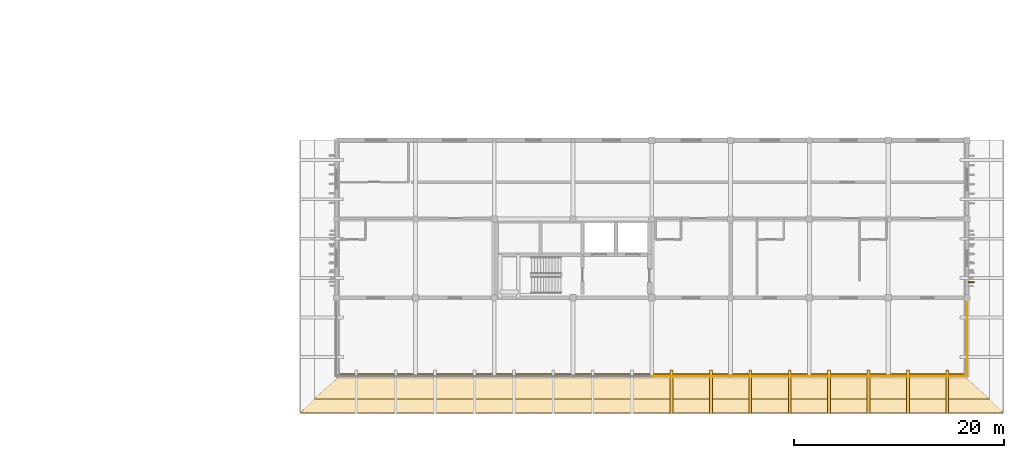
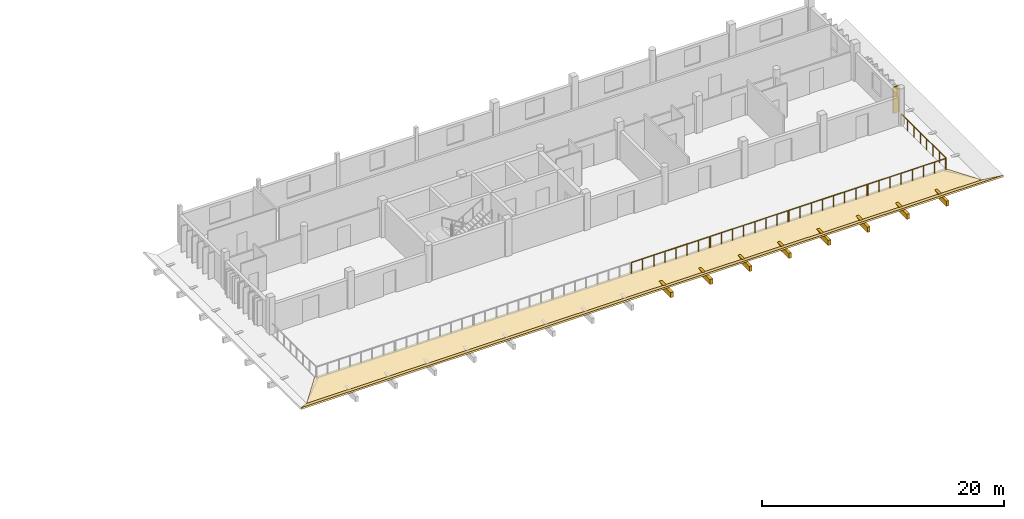
# One storey, part 41 of 43: 11 coverings, 5 railings.
"""IFC4 building model written with IfcOpenShell, lengths in metres."""

from ifc_helpers import new_model, si_unit, direction, frame, origin, origin_2d, place, context, subcontext, project, spatial, polyline, rectangle, circle, outline, extrude, material, layer, layer_set, type_object, element, save


model = new_model("IFC4")

# Units and contexts
model_context = context("Model", 3, precision=1e-05, world=origin(), true_north=direction((0.0, 1.0)))
body_context = subcontext(model_context, "Body", "Model", "MODEL_VIEW")
ifc_project = project(units=[si_unit("LENGTHUNIT", "METRE"), si_unit("AREAUNIT", "SQUARE_METRE"), si_unit("VOLUMEUNIT", "CUBIC_METRE"), si_unit("PLANEANGLEUNIT", "RADIAN"), si_unit("MASSUNIT", "GRAM", prefix="KILO")], contexts=[model_context])

# Site, building, storey
site_placement = place(None, origin())
site = spatial("IfcSite", under=ifc_project, at=site_placement, CompositionType="ELEMENT")
building_placement = place(site_placement, origin())
building = spatial("IfcBuilding", under=site, at=building_placement, Name="Dalvernix Boulevard General Hospital", CompositionType="ELEMENT")
storey_placement = place(building_placement, frame((0.0, 0.0, 14.10009765625)))
storey = spatial("IfcBuildingStorey", under=building, at=storey_placement, Name="L03", CompositionType="ELEMENT", Elevation=14.10009765625)

# Coverings
ifc_material_1 = material(Name="Glazed Catalan terracotta and iroko timber overhanging upturned eave", Category="masonry")
ifc_layer_1 = layer(ifc_material_1, 0.139892578125)
ifc_layer_set_1 = layer_set([ifc_layer_1], Name="Glazed Catalan terracotta and iroko timber overhanging upturned eave (COV-EAVE-01)")
covering_type_1 = type_object("IfcCoveringType", Name="COV-EAVE-01", PredefinedType="CLADDING", material=ifc_layer_set_1)
covering_1_placement = place(storey_placement, frame((112.5, 0.25, -0.06005859375), z_axis=(0.0, -0.192259352231, 0.981344150377), x_axis=(1.0, 0.0, 0.0)))
element("IfcCovering", 1, at=covering_1_placement, inside=storey, type_object=covering_type_1, Name="TIER-V5-BASE overhanging ceramic eave skirt S", PredefinedType="CLADDING", context=body_context, shape_type="SweptSolid", body=[
    extrude(outline(polyline([(0.0, 0.0), (60.0, 0.0), (62.199951171875, -2.4965259852349133), (-2.199951171875, -2.4965259852349133), (0.0, 0.0)])), origin(), (0.0, 0.0, -1.0), 0.139892578125),
])
covering_2_placement = place(storey_placement, frame((110.300048828125, -2.1201171875, -0.5400390625), z_axis=(0.0, 0.524777364287, 0.851239518544), x_axis=(1.0, 0.0, 0.0)))
element("IfcCovering", 2, at=covering_2_placement, inside=storey, type_object=covering_type_1, Name="TIER-V5-BASE upturned ceramic eave wing S", PredefinedType="CLADDING", context=body_context, shape_type="SweptSolid", body=[
    extrude(outline(polyline([(0.0, 0.0), (64.39990234375, 0.0), (65.64990234375, -1.5622324332978543), (-1.25, -1.5622324332978543), (0.0, 0.0)])), origin(), (0.0, 0.0, -1.0), 0.139892578125),
])
ifc_material_2 = material(Name="Terracotta-clad iroko timber brise-soleil sun-breaker fin", Category="masonry")
ifc_layer_2 = layer(ifc_material_2, 0.10009765625)
ifc_layer_set_2 = layer_set([ifc_layer_2], Name="Terracotta-clad iroko timber brise-soleil sun-breaker fin (COV-FIN-02)")
covering_type_2 = type_object("IfcCoveringType", Name="COV-FIN-02", PredefinedType="CLADDING", material=ifc_layer_set_2)
covering_3_placement = place(storey_placement, frame((172.919921875, 9.0, 0.119873046875), z_axis=(0.0, 0.0, 1.0), x_axis=(0.0, -1.0, 0.0)))
element("IfcCovering", 3, at=covering_3_placement, inside=storey, type_object=covering_type_2, Name="L03 terracotta brise-soleil fin E 23-1-6", PredefinedType="CLADDING", context=body_context, shape_type="SweptSolid", body=[
    extrude(rectangle(XDim=0.10009765625, YDim=0.580078125, at=origin_2d()), origin(), (0.0, 0.0, 1.0), 2.6298828125),
])
ifc_material_3 = material(Name="Preservative-treated glulam GL28h eave outlooker corbel bracket", Category="wood")
ifc_layer_3 = layer(ifc_material_3, 0.239990234375)
ifc_layer_set_3 = layer_set([ifc_layer_3], Name="Preservative-treated glulam GL28h eave outlooker corbel bracket (COV-OUTLOOK-01)")
covering_type_3 = type_object("IfcCoveringType", Name="COV-OUTLOOK-01", PredefinedType="CLADDING", material=ifc_layer_set_3)
for number, where, z_axis, x_axis, name in (
    (4, (144.375, -1.425048828125, -0.940185546875), (0.0, 0.0, 1.0), (1.0, 0.0, 0.0), "TIER-V5-BASE glulam eave outlooker corbel S-9"),
    (5, (148.125, -1.425048828125, -0.940185546875), (0.0, 0.0, 1.0), (1.0, 0.0, 0.0), "TIER-V5-BASE glulam eave outlooker corbel S-10"),
    (6, (151.875, -1.425048828125, -0.940185546875), (0.0, 0.0, 1.0), (1.0, 0.0, 0.0), "TIER-V5-BASE glulam eave outlooker corbel S-11"),
    (7, (155.625, -1.425048828125, -0.940185546875), (0.0, 0.0, 1.0), (1.0, 0.0, 0.0), "TIER-V5-BASE glulam eave outlooker corbel S-12"),
    (8, (159.375, -1.425048828125, -0.940185546875), (0.0, 0.0, 1.0), (1.0, 0.0, 0.0), "TIER-V5-BASE glulam eave outlooker corbel S-13"),
    (9, (163.125, -1.425048828125, -0.940185546875), (0.0, 0.0, 1.0), (1.0, 0.0, 0.0), "TIER-V5-BASE glulam eave outlooker corbel S-14"),
    (10, (166.875, -1.425048828125, -0.940185546875), (0.0, 0.0, 1.0), (1.0, 0.0, 0.0), "TIER-V5-BASE glulam eave outlooker corbel S-15"),
    (11, (170.625, -1.425048828125, -0.940185546875), (0.0, 0.0, 1.0), (1.0, 0.0, 0.0), "TIER-V5-BASE glulam eave outlooker corbel S-16"),
):
    element("IfcCovering", number, at=place(storey_placement, frame(where, z_axis=z_axis, x_axis=x_axis)), inside=storey, type_object=covering_type_3, Name=name, PredefinedType="CLADDING", context=body_context, shape_type="SweptSolid", body=[
        extrude(rectangle(XDim=0.260009765625, YDim=4.14990234375, at=origin_2d()), origin(), (0.0, 0.0, 1.0), 0.52001953125),
    ])

# Railings
ifc_material_4 = material(Name="Powder-coated galvanized steel balustrade", Category="steel")
railing_type = type_object("IfcRailingType", Name="RL-GR-EXT1", PredefinedType="BALUSTRADE", material=ifc_material_4)
railing_placement = place(storey_placement, frame((172.5, 7.409912109375, 0.0)))
element("IfcRailing", 12, at=railing_placement, inside=storey, type_object=railing_type, Name="L03 terrace safety balustrade 1", PredefinedType="BALUSTRADE", context=body_context, shape_type="SweptSolid", body=[
    extrude(circle(Radius=0.02392578125, at=origin_2d()), frame((0.0, 0.0, 1.09619140625), z_axis=(0.0, -1.0, 0.0), x_axis=(1.0, 0.0, 0.0)), (0.0, 0.0, 1.0), 7.369873046875),
    extrude(circle(Radius=0.02099609375, at=origin_2d()), origin(), (0.0, 0.0, 1.0), 1.072021484375),
    extrude(circle(Radius=0.02099609375, at=origin_2d()), frame((0.0, -1.052734375, 0.0)), (0.0, 0.0, 1.0), 1.072021484375),
    extrude(circle(Radius=0.02099609375, at=origin_2d()), frame((0.0, -2.105712890625, 0.0)), (0.0, 0.0, 1.0), 1.072021484375),
    extrude(circle(Radius=0.02099609375, at=origin_2d()), frame((0.0, -3.158447265625, 0.0)), (0.0, 0.0, 1.0), 1.072021484375),
    extrude(circle(Radius=0.02099609375, at=origin_2d()), frame((0.0, -4.21142578125, 0.0)), (0.0, 0.0, 1.0), 1.072021484375),
    extrude(circle(Radius=0.02099609375, at=origin_2d()), frame((0.0, -5.26416015625, 0.0)), (0.0, 0.0, 1.0), 1.072021484375),
    extrude(circle(Radius=0.02099609375, at=origin_2d()), frame((0.0, -6.317138671875, 0.0)), (0.0, 0.0, 1.0), 1.072021484375),
    extrude(circle(Radius=0.02099609375, at=origin_2d()), frame((0.0, -7.369873046875, 0.0)), (0.0, 0.0, 1.0), 1.072021484375),
])
for number, where, name in (
    (13, (172.4599609375, 0.0, 0.0), "L03 terrace safety balustrade 2"),
    (14, (164.9599609375, 0.0, 0.0), "L03 terrace safety balustrade 3"),
    (15, (157.4599609375, 0.0, 0.0), "L03 terrace safety balustrade 4"),
    (16, (149.9599609375, 0.0, 0.0), "L03 terrace safety balustrade 5"),
):
    element("IfcRailing", number, at=place(storey_placement, frame(where)), inside=storey, type_object=railing_type, Name=name, PredefinedType="BALUSTRADE", context=body_context, shape_type="SweptSolid", body=[
        extrude(circle(Radius=0.02392578125, at=origin_2d()), frame((0.0, 0.0, 1.09619140625), z_axis=(-1.0, 0.0, 0.0), x_axis=(0.0, -1.0, 0.0)), (0.0, 0.0, 1.0), 7.419921875),
        extrude(circle(Radius=0.02099609375, at=origin_2d()), origin(), (0.0, 0.0, 1.0), 1.072021484375),
        extrude(circle(Radius=0.02099609375, at=origin_2d()), frame((-1.06005859375, 0.0, 0.0)), (0.0, 0.0, 1.0), 1.072021484375),
        extrude(circle(Radius=0.02099609375, at=origin_2d()), frame((-2.119873046875, 0.0, 0.0)), (0.0, 0.0, 1.0), 1.072021484375),
        extrude(circle(Radius=0.02099609375, at=origin_2d()), frame((-3.179931640625, 0.0, 0.0)), (0.0, 0.0, 1.0), 1.072021484375),
        extrude(circle(Radius=0.02099609375, at=origin_2d()), frame((-4.239990234375, 0.0, 0.0)), (0.0, 0.0, 1.0), 1.072021484375),
        extrude(circle(Radius=0.02099609375, at=origin_2d()), frame((-5.300048828125, 0.0, 0.0)), (0.0, 0.0, 1.0), 1.072021484375),
        extrude(circle(Radius=0.02099609375, at=origin_2d()), frame((-6.35986328125, 0.0, 0.0)), (0.0, 0.0, 1.0), 1.072021484375),
        extrude(circle(Radius=0.02099609375, at=origin_2d()), frame((-7.419921875, 0.0, 0.0)), (0.0, 0.0, 1.0), 1.072021484375),
    ])

save(model, "model.ifc")
